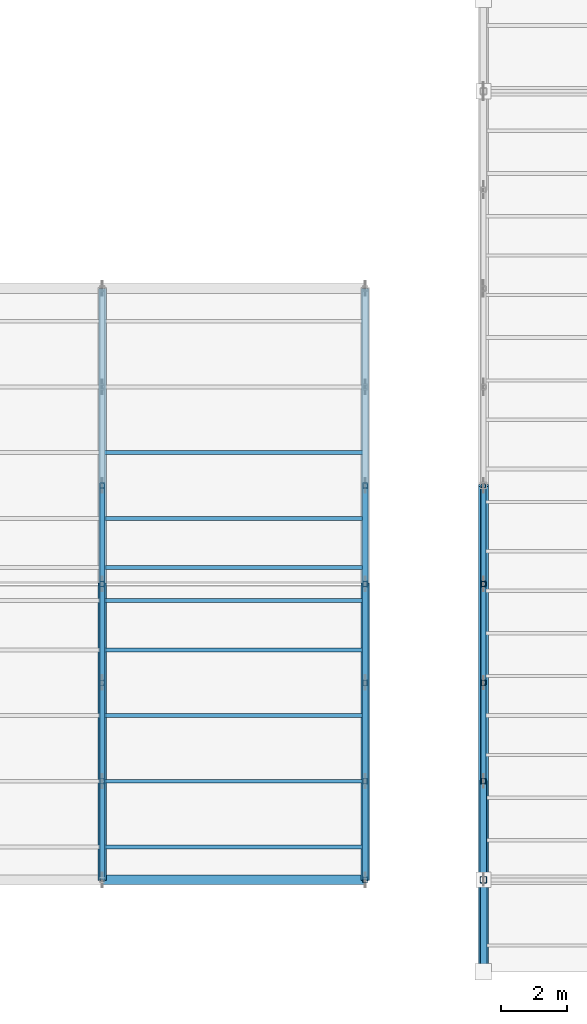
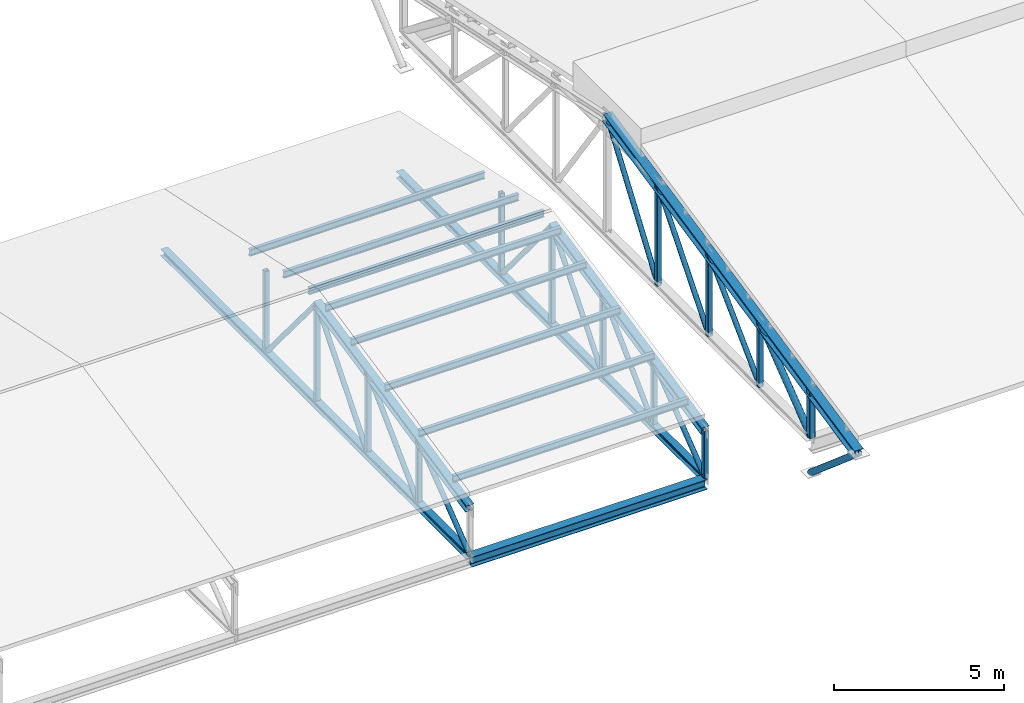
# One storey, part 2 of 43: 39 members, 1 beam.
"""IFC4 building model written with IfcOpenShell, lengths in metres."""

from ifc_helpers import new_model, si_unit, direction, frame, origin, origin_2d, place, context, subcontext, project, spatial, hollow_rectangle, hollow_circle, i_section, extrude, material, material_profile, profile_set, type_object, element, save


model = new_model("IFC4")

# Units and contexts
model_context = context("Model", 3, precision=1e-05, world=origin(), true_north=direction((0.0, 1.0)))
body_context = subcontext(model_context, "Body", "Model", "MODEL_VIEW")
ifc_project = project(units=[si_unit("LENGTHUNIT", "METRE"), si_unit("AREAUNIT", "SQUARE_METRE"), si_unit("VOLUMEUNIT", "CUBIC_METRE"), si_unit("PLANEANGLEUNIT", "RADIAN"), si_unit("MASSUNIT", "GRAM", prefix="KILO")], contexts=[model_context])

# Site, building, storey
site_placement = place(None, origin())
site = spatial("IfcSite", under=ifc_project, at=site_placement, CompositionType="ELEMENT")
building_placement = place(site_placement, origin())
building = spatial("IfcBuilding", under=site, at=building_placement, Name="Serraforn Aerial Cableway Station", CompositionType="ELEMENT")
storey_placement = place(building_placement, frame((0.0, 0.0, 18.300048828125)))
storey = spatial("IfcBuildingStorey", under=building, at=storey_placement, Name="RF", CompositionType="ELEMENT", Elevation=18.300048828125)

# Beam
ifc_material_1 = material(Name="Steel S355JR", Category="steel")
ifc_material_profile_1 = material_profile(ifc_material_1, i_section(OverallWidth=0.300048828125, OverallDepth=0.360107421875, WebThickness=0.010009765625, FlangeThickness=0.017578125, FilletRadius=0.027099609375, at=origin_2d()), Name="HEA 360")
ifc_profile_set_1 = profile_set([ifc_material_profile_1], Name="Steel S355JR")
beam_type = type_object("IfcBeamType", Name="BM-ST-HEA360", PredefinedType="BEAM", material=ifc_profile_set_1)
beam_placement = place(storey_placement, frame((16.0, 18.0, -1.72998046875), z_axis=(1.0, 0.0, 0.0), x_axis=(0.0, 1.0, 0.0)))
element("IfcBeam", 1, at=beam_placement, inside=storey, type_object=beam_type, Name="Belvedere Eave Girder S-3", PredefinedType="BEAM", context=body_context, shape_type="SweptSolid", body=[
    extrude(i_section(OverallWidth=0.300048828125, OverallDepth=0.360107421875, WebThickness=0.010009765625, FlangeThickness=0.017578125, FilletRadius=0.027099609375, at=origin_2d()), origin(), (0.0, 0.0, 1.0), 8.0),
])

# Members
ifc_material_2 = material(Name="Steel S355J2", Category="steel")
ifc_material_profile_2 = material_profile(ifc_material_2, i_section(OverallWidth=0.239990234375, OverallDepth=0.239990234375, WebThickness=0.007568359375, FlangeThickness=0.011962890625, FilletRadius=0.02099609375, at=origin_2d()), Name="HEA 240")
ifc_profile_set_2 = profile_set([ifc_material_profile_2], Name="Steel S355J2")
member_type_1 = type_object("IfcMemberType", Name="MEM-BC-HEA240", PredefinedType="CHORD", material=ifc_profile_set_2)
for number, where, z_axis, x_axis, name in (
    (2, (16.0, 18.0, -1.550048828125), (0.0, 1.0, 0.0), (-1.0, 0.0, 0.0), "Belvedere Truss WT-03 Bottom Chord"),
    (3, (24.0, 18.0, -1.550048828125), (0.0, 1.0, 0.0), (-1.0, 0.0, 0.0), "Belvedere Truss WT-04 Bottom Chord"),
):
    element("IfcMember", number, at=place(storey_placement, frame(where, z_axis=z_axis, x_axis=x_axis)), inside=storey, type_object=member_type_1, Name=name, PredefinedType="CHORD", context=body_context, shape_type="SweptSolid", body=[
        extrude(i_section(OverallWidth=0.239990234375, OverallDepth=0.239990234375, WebThickness=0.007568359375, FlangeThickness=0.011962890625, FilletRadius=0.02099609375, at=origin_2d()), origin(), (0.0, 0.0, 1.0), 18.0),
    ])
ifc_material_profile_3 = material_profile(ifc_material_2, hollow_circle(Radius=0.084228515625, WallThickness=0.008056640625, at=origin_2d()), Name="CHS 168.3x8.0")
ifc_profile_set_3 = profile_set([ifc_material_profile_3], Name="Steel S355J2")
member_type_2 = type_object("IfcMemberType", Name="MEM-DG-CHS168", PredefinedType="BRACE", material=ifc_profile_set_3)
member_1_placement = place(storey_placement, frame((27.60009765625, 21.0, -1.35009765625), z_axis=(0.0, 0.71294245933, 0.701222539344), x_axis=(-1.0, 0.0, 0.0)))
element("IfcMember", 4, at=member_1_placement, inside=storey, type_object=member_type_2, Name="Roof Truss TR-01 Diagonal 2", PredefinedType="BRACE", context=body_context, shape_type="SweptSolid", body=[
    extrude(hollow_circle(Radius=0.084228515625, WallThickness=0.008056640625, at=origin_2d()), origin(), (0.0, 0.0, 1.0), 4.2080078125),
])
member_2_placement = place(storey_placement, frame((27.60009765625, 24.0, -1.35009765625), z_axis=(0.0, 0.641405529785, 0.767202024477), x_axis=(-1.0, 0.0, 0.0)))
element("IfcMember", 5, at=member_2_placement, inside=storey, type_object=member_type_2, Name="Roof Truss TR-01 Diagonal 3", PredefinedType="BRACE", context=body_context, shape_type="SweptSolid", body=[
    extrude(hollow_circle(Radius=0.084228515625, WallThickness=0.008056640625, at=origin_2d()), origin(), (0.0, 0.0, 1.0), 4.67724609375),
])
member_3_placement = place(storey_placement, frame((27.60009765625, 27.0, -1.35009765625), z_axis=(0.0, 0.578856146563, 0.815429679118), x_axis=(-1.0, 0.0, 0.0)))
element("IfcMember", 6, at=member_3_placement, inside=storey, type_object=member_type_2, Name="Roof Truss TR-01 Diagonal 4", PredefinedType="BRACE", context=body_context, shape_type="SweptSolid", body=[
    extrude(hollow_circle(Radius=0.084228515625, WallThickness=0.008056640625, at=origin_2d()), origin(), (0.0, 0.0, 1.0), 5.1826171875),
])
member_4_placement = place(storey_placement, frame((16.0, 18.0, -1.550048828125), z_axis=(0.0, 0.79148044328, 0.611194492699), x_axis=(-1.0, 0.0, 0.0)))
element("IfcMember", 7, at=member_4_placement, inside=storey, type_object=member_type_2, Name="Belvedere Truss WT-03 Diagonal 1", PredefinedType="BRACE", context=body_context, shape_type="SweptSolid", body=[
    extrude(hollow_circle(Radius=0.084228515625, WallThickness=0.008056640625, at=origin_2d()), origin(), (0.0, 0.0, 1.0), 3.790283203125),
])
member_5_placement = place(storey_placement, frame((16.0, 21.0, -1.550048828125), z_axis=(0.0, 0.712536491097, 0.701635053896), x_axis=(-1.0, 0.0, 0.0)))
element("IfcMember", 8, at=member_5_placement, inside=storey, type_object=member_type_2, Name="Belvedere Truss WT-03 Diagonal 2", PredefinedType="BRACE", context=body_context, shape_type="SweptSolid", body=[
    extrude(hollow_circle(Radius=0.084228515625, WallThickness=0.008056640625, at=origin_2d()), origin(), (0.0, 0.0, 1.0), 4.210205078125),
])
for number, where, z_axis, x_axis, name in (
    (9, (16.0, 24.0, -1.550048828125), (0.0, 0.641046059046, 0.767502410538), (-1.0, 0.0, 0.0), "Belvedere Truss WT-03 Diagonal 3"),
    (10, (16.0, 27.0, 2.041748046875), (0.0, 0.641046059046, -0.767502410538), (-1.0, 0.0, 0.0), "Belvedere Truss WT-03 Diagonal 4"),
):
    element("IfcMember", number, at=place(storey_placement, frame(where, z_axis=z_axis, x_axis=x_axis)), inside=storey, type_object=member_type_2, Name=name, PredefinedType="BRACE", context=body_context, shape_type="SweptSolid", body=[
        extrude(hollow_circle(Radius=0.084228515625, WallThickness=0.008056640625, at=origin_2d()), origin(), (0.0, 0.0, 1.0), 4.679931640625),
    ])
member_6_placement = place(storey_placement, frame((24.0, 18.0, -1.550048828125), z_axis=(0.0, 0.79148044328, 0.611194492699), x_axis=(-1.0, 0.0, 0.0)))
element("IfcMember", 11, at=member_6_placement, inside=storey, type_object=member_type_2, Name="Belvedere Truss WT-04 Diagonal 1", PredefinedType="BRACE", context=body_context, shape_type="SweptSolid", body=[
    extrude(hollow_circle(Radius=0.084228515625, WallThickness=0.008056640625, at=origin_2d()), origin(), (0.0, 0.0, 1.0), 3.790283203125),
])
member_7_placement = place(storey_placement, frame((24.0, 21.0, -1.550048828125), z_axis=(0.0, 0.712536491097, 0.701635053896), x_axis=(-1.0, 0.0, 0.0)))
element("IfcMember", 12, at=member_7_placement, inside=storey, type_object=member_type_2, Name="Belvedere Truss WT-04 Diagonal 2", PredefinedType="BRACE", context=body_context, shape_type="SweptSolid", body=[
    extrude(hollow_circle(Radius=0.084228515625, WallThickness=0.008056640625, at=origin_2d()), origin(), (0.0, 0.0, 1.0), 4.210205078125),
])
for number, where, z_axis, x_axis, name in (
    (13, (24.0, 24.0, -1.550048828125), (0.0, 0.641046059046, 0.767502410538), (-1.0, 0.0, 0.0), "Belvedere Truss WT-04 Diagonal 3"),
    (14, (24.0, 27.0, 2.041748046875), (0.0, 0.641046059046, -0.767502410538), (-1.0, 0.0, 0.0), "Belvedere Truss WT-04 Diagonal 4"),
):
    element("IfcMember", number, at=place(storey_placement, frame(where, z_axis=z_axis, x_axis=x_axis)), inside=storey, type_object=member_type_2, Name=name, PredefinedType="BRACE", context=body_context, shape_type="SweptSolid", body=[
        extrude(hollow_circle(Radius=0.084228515625, WallThickness=0.008056640625, at=origin_2d()), origin(), (0.0, 0.0, 1.0), 4.679931640625),
    ])
ifc_material_profile_4 = material_profile(ifc_material_2, hollow_circle(Radius=0.109619140625, WallThickness=0.010009765625, at=origin_2d()), Name="CHS 219.1x10.0")
ifc_profile_set_4 = profile_set([ifc_material_profile_4], Name="Steel S355J2")
member_type_3 = type_object("IfcMemberType", Name="MEM-DG-CHS219", PredefinedType="BRACE", material=ifc_profile_set_4)
member_8_placement = place(storey_placement, frame((27.60009765625, 18.0, -2.650146484375), z_axis=(0.0, -0.760584469832, 0.649238988548), x_axis=(1.0, 0.0, 0.0)))
element("IfcMember", 15, at=member_8_placement, inside=storey, type_object=member_type_3, Name="Roof Truss TR-01 Eave Knee Strut ES", PredefinedType="BRACE", context=body_context, shape_type="SweptSolid", body=[
    extrude(hollow_circle(Radius=0.109619140625, WallThickness=0.010009765625, at=origin_2d()), origin(), (0.0, 0.0, 1.0), 3.681396484375),
])
member_9_placement = place(storey_placement, frame((27.60009765625, 18.0, -1.35009765625), z_axis=(0.0, 0.791947867333, 0.610588712168), x_axis=(-1.0, 0.0, 0.0)))
element("IfcMember", 16, at=member_9_placement, inside=storey, type_object=member_type_3, Name="Roof Truss TR-01 Diagonal 1", PredefinedType="BRACE", context=body_context, shape_type="SweptSolid", body=[
    extrude(hollow_circle(Radius=0.109619140625, WallThickness=0.010009765625, at=origin_2d()), origin(), (0.0, 0.0, 1.0), 3.7880859375),
])
ifc_material_profile_5 = material_profile(ifc_material_1, i_section(OverallWidth=0.1201171875, OverallDepth=0.239990234375, WebThickness=0.006103515625, FlangeThickness=0.009765625, FilletRadius=0.014892578125, at=origin_2d()), Name="IPE 240")
ifc_profile_set_5 = profile_set([ifc_material_profile_5], Name="Steel S355JR")
member_type_4 = type_object("IfcMemberType", Name="MEM-PR-IPE240", PredefinedType="PURLIN", material=ifc_profile_set_5)
for number, where, z_axis, x_axis, name in (
    (17, (16.0, 19.0, 0.58544921875), (1.0, 0.0, 0.0), (0.0, 1.0, 0.0), "Belvedere Roof Purlin 3-1"),
    (18, (16.0, 21.0, 1.010498046875), (1.0, 0.0, 0.0), (0.0, 1.0, 0.0), "Belvedere Roof Purlin 3-2"),
    (19, (16.0, 23.0, 1.435546875), (1.0, 0.0, 0.0), (0.0, 1.0, 0.0), "Belvedere Roof Purlin 3-3"),
    (20, (16.0, 25.0, 1.86083984375), (1.0, 0.0, 0.0), (0.0, 1.0, 0.0), "Belvedere Roof Purlin 3-4"),
    (21, (16.0, 26.5, 2.179443359375), (1.0, 0.0, 0.0), (0.0, 1.0, 0.0), "Belvedere Roof Purlin 3-5"),
    (22, (16.0, 27.5, 2.179443359375), (1.0, 0.0, 0.0), (0.0, 1.0, 0.0), "Belvedere Roof Purlin 3-6"),
    (23, (16.0, 29.0, 1.86083984375), (1.0, 0.0, 0.0), (0.0, 1.0, 0.0), "Belvedere Roof Purlin 3-7"),
    (24, (16.0, 31.0, 1.435546875), (1.0, 0.0, 0.0), (0.0, 1.0, 0.0), "Belvedere Roof Purlin 3-8"),
):
    element("IfcMember", number, at=place(storey_placement, frame(where, z_axis=z_axis, x_axis=x_axis)), inside=storey, type_object=member_type_4, Name=name, PredefinedType="PURLIN", context=body_context, shape_type="SweptSolid", body=[
        extrude(i_section(OverallWidth=0.1201171875, OverallDepth=0.239990234375, WebThickness=0.006103515625, FlangeThickness=0.009765625, FilletRadius=0.014892578125, at=origin_2d()), origin(), (0.0, 0.0, 1.0), 8.0),
    ])
ifc_material_profile_6 = material_profile(ifc_material_2, i_section(OverallWidth=0.260009765625, OverallDepth=0.260009765625, WebThickness=0.010009765625, FlangeThickness=0.017578125, FilletRadius=0.02392578125, at=origin_2d()), Name="HEB 260")
ifc_profile_set_6 = profile_set([ifc_material_profile_6], Name="Steel S355J2")
member_type_5 = type_object("IfcMemberType", Name="MEM-TC-HEB260", PredefinedType="CHORD", material=ifc_profile_set_6)
for number, where, z_axis, x_axis, name in (
    (25, (16.0, 18.0, 0.12890625), (0.0, 0.978151297449, 0.207894298381), (-1.0, 0.0, 0.0), "Belvedere Truss WT-03 Top Chord 1"),
    (26, (24.0, 18.0, 0.12890625), (0.0, 0.978151297449, 0.207894298381), (-1.0, 0.0, 0.0), "Belvedere Truss WT-04 Top Chord 1"),
):
    element("IfcMember", number, at=place(storey_placement, frame(where, z_axis=z_axis, x_axis=x_axis)), inside=storey, type_object=member_type_5, Name=name, PredefinedType="CHORD", context=body_context, shape_type="SweptSolid", body=[
        extrude(i_section(OverallWidth=0.260009765625, OverallDepth=0.260009765625, WebThickness=0.010009765625, FlangeThickness=0.017578125, FilletRadius=0.02392578125, at=origin_2d()), origin(), (0.0, 0.0, 1.0), 9.200927734375),
    ])
ifc_material_profile_7 = material_profile(ifc_material_2, i_section(OverallWidth=0.300048828125, OverallDepth=0.300048828125, WebThickness=0.010986328125, FlangeThickness=0.01904296875, FilletRadius=0.027099609375, at=origin_2d()), Name="HEB 300")
ifc_profile_set_7 = profile_set([ifc_material_profile_7], Name="Steel S355J2")
member_type_6 = type_object("IfcMemberType", Name="MEM-TC-HEB300", PredefinedType="CHORD", material=ifc_profile_set_7)
member_10_placement = place(storey_placement, frame((27.60009765625, 15.199951171875, -0.27001953125), z_axis=(0.0, 0.978145603362, 0.207921087493), x_axis=(-1.0, 0.0, 0.0)))
element("IfcMember", 27, at=member_10_placement, inside=storey, type_object=member_type_6, Name="Roof Truss TR-01 Top Chord 1", PredefinedType="CHORD", context=body_context, shape_type="SweptSolid", body=[
    extrude(i_section(OverallWidth=0.300048828125, OverallDepth=0.300048828125, WebThickness=0.010986328125, FlangeThickness=0.01904296875, FilletRadius=0.027099609375, at=origin_2d()), origin(), (0.0, 0.0, 1.0), 15.130615234375),
])
ifc_material_profile_8 = material_profile(ifc_material_2, hollow_rectangle(XDim=0.159912109375, YDim=0.159912109375, WallThickness=0.008056640625, InnerFilletRadius=0.008056640625, OuterFilletRadius=0.01611328125, at=origin_2d()), Name="SHS 160x160x8.0")
ifc_profile_set_8 = profile_set([ifc_material_profile_8], Name="Steel S355J2")
member_type_7 = type_object("IfcMemberType", Name="MEM-VP-SHS160", PredefinedType="STRUT", material=ifc_profile_set_8)
member_11_placement = place(storey_placement, frame((27.60009765625, 21.0, -1.360107421875), z_axis=(0.0, 0.0, 1.0), x_axis=(1.0, 0.0, 0.0)))
element("IfcMember", 28, at=member_11_placement, inside=storey, type_object=member_type_7, Name="Roof Truss TR-01 Vertical Post 2", PredefinedType="STRUT", context=body_context, shape_type="SweptSolid", body=[
    extrude(hollow_rectangle(XDim=0.159912109375, YDim=0.159912109375, WallThickness=0.008056640625, InnerFilletRadius=0.008056640625, OuterFilletRadius=0.01611328125, at=origin_2d()), origin(), (0.0, 0.0, 1.0), 2.3330078125),
])
member_12_placement = place(storey_placement, frame((27.60009765625, 24.0, -1.360107421875), z_axis=(0.0, 0.0, 1.0), x_axis=(1.0, 0.0, 0.0)))
element("IfcMember", 29, at=member_12_placement, inside=storey, type_object=member_type_7, Name="Roof Truss TR-01 Vertical Post 3", PredefinedType="STRUT", context=body_context, shape_type="SweptSolid", body=[
    extrude(hollow_rectangle(XDim=0.159912109375, YDim=0.159912109375, WallThickness=0.008056640625, InnerFilletRadius=0.008056640625, OuterFilletRadius=0.01611328125, at=origin_2d()), origin(), (0.0, 0.0, 1.0), 2.970703125),
])
member_13_placement = place(storey_placement, frame((27.60009765625, 27.0, -1.360107421875), z_axis=(0.0, 0.0, 1.0), x_axis=(1.0, 0.0, 0.0)))
element("IfcMember", 30, at=member_13_placement, inside=storey, type_object=member_type_7, Name="Roof Truss TR-01 Vertical Post 4", PredefinedType="STRUT", context=body_context, shape_type="SweptSolid", body=[
    extrude(hollow_rectangle(XDim=0.159912109375, YDim=0.159912109375, WallThickness=0.008056640625, InnerFilletRadius=0.008056640625, OuterFilletRadius=0.01611328125, at=origin_2d()), origin(), (0.0, 0.0, 1.0), 3.6083984375),
])
member_14_placement = place(storey_placement, frame((16.0, 21.0, -1.56005859375), z_axis=(0.0, 0.0, 1.0), x_axis=(1.0, 0.0, 0.0)))
element("IfcMember", 31, at=member_14_placement, inside=storey, type_object=member_type_7, Name="Belvedere Truss WT-03 Post 2", PredefinedType="STRUT", context=body_context, shape_type="SweptSolid", body=[
    extrude(hollow_rectangle(XDim=0.159912109375, YDim=0.159912109375, WallThickness=0.008056640625, InnerFilletRadius=0.008056640625, OuterFilletRadius=0.01611328125, at=origin_2d()), origin(), (0.0, 0.0, 1.0), 2.336669921875),
])
member_15_placement = place(storey_placement, frame((16.0, 24.0, -1.56005859375), z_axis=(0.0, 0.0, 1.0), x_axis=(1.0, 0.0, 0.0)))
element("IfcMember", 32, at=member_15_placement, inside=storey, type_object=member_type_7, Name="Belvedere Truss WT-03 Post 3", PredefinedType="STRUT", context=body_context, shape_type="SweptSolid", body=[
    extrude(hollow_rectangle(XDim=0.159912109375, YDim=0.159912109375, WallThickness=0.008056640625, InnerFilletRadius=0.008056640625, OuterFilletRadius=0.01611328125, at=origin_2d()), origin(), (0.0, 0.0, 1.0), 2.97412109375),
])
member_16_placement = place(storey_placement, frame((16.0, 27.0, -1.56005859375), z_axis=(0.0, 0.0, 1.0), x_axis=(1.0, 0.0, 0.0)))
element("IfcMember", 33, at=member_16_placement, inside=storey, type_object=member_type_7, Name="Belvedere Truss WT-03 Post 4", PredefinedType="STRUT", context=body_context, shape_type="SweptSolid", body=[
    extrude(hollow_rectangle(XDim=0.159912109375, YDim=0.159912109375, WallThickness=0.008056640625, InnerFilletRadius=0.008056640625, OuterFilletRadius=0.01611328125, at=origin_2d()), origin(), (0.0, 0.0, 1.0), 3.61181640625),
])
member_17_placement = place(storey_placement, frame((16.0, 30.0, -1.56005859375), z_axis=(0.0, 0.0, 1.0), x_axis=(1.0, 0.0, 0.0)))
element("IfcMember", 34, at=member_17_placement, inside=storey, type_object=member_type_7, Name="Belvedere Truss WT-03 Post 5", PredefinedType="STRUT", context=body_context, shape_type="SweptSolid", body=[
    extrude(hollow_rectangle(XDim=0.159912109375, YDim=0.159912109375, WallThickness=0.008056640625, InnerFilletRadius=0.008056640625, OuterFilletRadius=0.01611328125, at=origin_2d()), origin(), (0.0, 0.0, 1.0), 2.97412109375),
])
member_18_placement = place(storey_placement, frame((24.0, 18.0, -1.56005859375), z_axis=(0.0, 0.0, 1.0), x_axis=(1.0, 0.0, 0.0)))
element("IfcMember", 35, at=member_18_placement, inside=storey, type_object=member_type_7, Name="Belvedere Truss WT-04 Post 1", PredefinedType="STRUT", context=body_context, shape_type="SweptSolid", body=[
    extrude(hollow_rectangle(XDim=0.159912109375, YDim=0.159912109375, WallThickness=0.008056640625, InnerFilletRadius=0.008056640625, OuterFilletRadius=0.01611328125, at=origin_2d()), origin(), (0.0, 0.0, 1.0), 1.698974609375),
])
member_19_placement = place(storey_placement, frame((24.0, 21.0, -1.56005859375), z_axis=(0.0, 0.0, 1.0), x_axis=(1.0, 0.0, 0.0)))
element("IfcMember", 36, at=member_19_placement, inside=storey, type_object=member_type_7, Name="Belvedere Truss WT-04 Post 2", PredefinedType="STRUT", context=body_context, shape_type="SweptSolid", body=[
    extrude(hollow_rectangle(XDim=0.159912109375, YDim=0.159912109375, WallThickness=0.008056640625, InnerFilletRadius=0.008056640625, OuterFilletRadius=0.01611328125, at=origin_2d()), origin(), (0.0, 0.0, 1.0), 2.336669921875),
])
member_20_placement = place(storey_placement, frame((24.0, 24.0, -1.56005859375), z_axis=(0.0, 0.0, 1.0), x_axis=(1.0, 0.0, 0.0)))
element("IfcMember", 37, at=member_20_placement, inside=storey, type_object=member_type_7, Name="Belvedere Truss WT-04 Post 3", PredefinedType="STRUT", context=body_context, shape_type="SweptSolid", body=[
    extrude(hollow_rectangle(XDim=0.159912109375, YDim=0.159912109375, WallThickness=0.008056640625, InnerFilletRadius=0.008056640625, OuterFilletRadius=0.01611328125, at=origin_2d()), origin(), (0.0, 0.0, 1.0), 2.97412109375),
])
member_21_placement = place(storey_placement, frame((24.0, 27.0, -1.56005859375), z_axis=(0.0, 0.0, 1.0), x_axis=(1.0, 0.0, 0.0)))
element("IfcMember", 38, at=member_21_placement, inside=storey, type_object=member_type_7, Name="Belvedere Truss WT-04 Post 4", PredefinedType="STRUT", context=body_context, shape_type="SweptSolid", body=[
    extrude(hollow_rectangle(XDim=0.159912109375, YDim=0.159912109375, WallThickness=0.008056640625, InnerFilletRadius=0.008056640625, OuterFilletRadius=0.01611328125, at=origin_2d()), origin(), (0.0, 0.0, 1.0), 3.61181640625),
])
member_22_placement = place(storey_placement, frame((24.0, 30.0, -1.56005859375), z_axis=(0.0, 0.0, 1.0), x_axis=(1.0, 0.0, 0.0)))
element("IfcMember", 39, at=member_22_placement, inside=storey, type_object=member_type_7, Name="Belvedere Truss WT-04 Post 5", PredefinedType="STRUT", context=body_context, shape_type="SweptSolid", body=[
    extrude(hollow_rectangle(XDim=0.159912109375, YDim=0.159912109375, WallThickness=0.008056640625, InnerFilletRadius=0.008056640625, OuterFilletRadius=0.01611328125, at=origin_2d()), origin(), (0.0, 0.0, 1.0), 2.97412109375),
])
ifc_material_profile_9 = material_profile(ifc_material_2, hollow_rectangle(XDim=0.199951171875, YDim=0.199951171875, WallThickness=0.010009765625, InnerFilletRadius=0.010009765625, OuterFilletRadius=0.02001953125, at=origin_2d()), Name="SHS 200x200x10.0")
ifc_profile_set_9 = profile_set([ifc_material_profile_9], Name="Steel S355J2")
member_type_8 = type_object("IfcMemberType", Name="MEM-VP-SHS200", PredefinedType="STRUT", material=ifc_profile_set_9)
member_23_placement = place(storey_placement, frame((27.60009765625, 18.0, -1.360107421875), z_axis=(0.0, 0.0, 1.0), x_axis=(1.0, 0.0, 0.0)))
element("IfcMember", 40, at=member_23_placement, inside=storey, type_object=member_type_8, Name="Roof Truss TR-01 Vertical Post 1", PredefinedType="STRUT", context=body_context, shape_type="SweptSolid", body=[
    extrude(hollow_rectangle(XDim=0.199951171875, YDim=0.199951171875, WallThickness=0.010009765625, InnerFilletRadius=0.010009765625, OuterFilletRadius=0.02001953125, at=origin_2d()), origin(), (0.0, 0.0, 1.0), 1.6953125),
])

save(model, "model.ifc")
